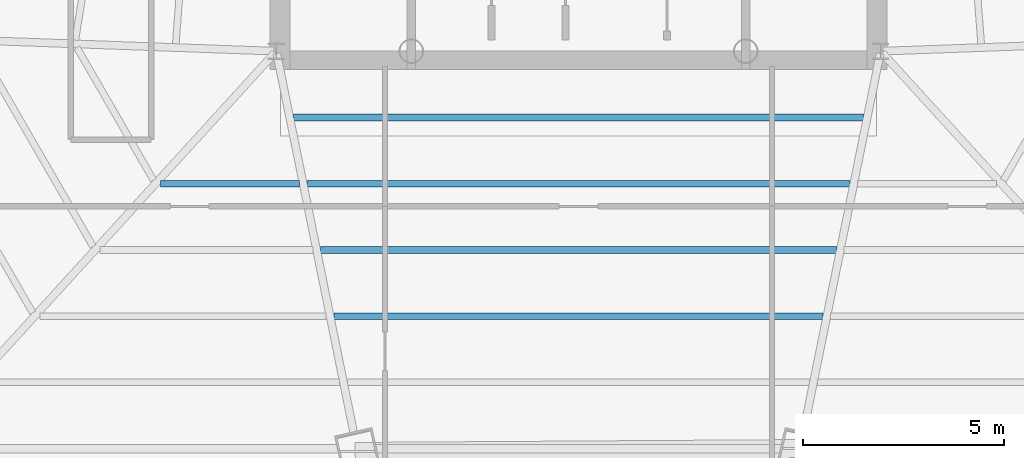
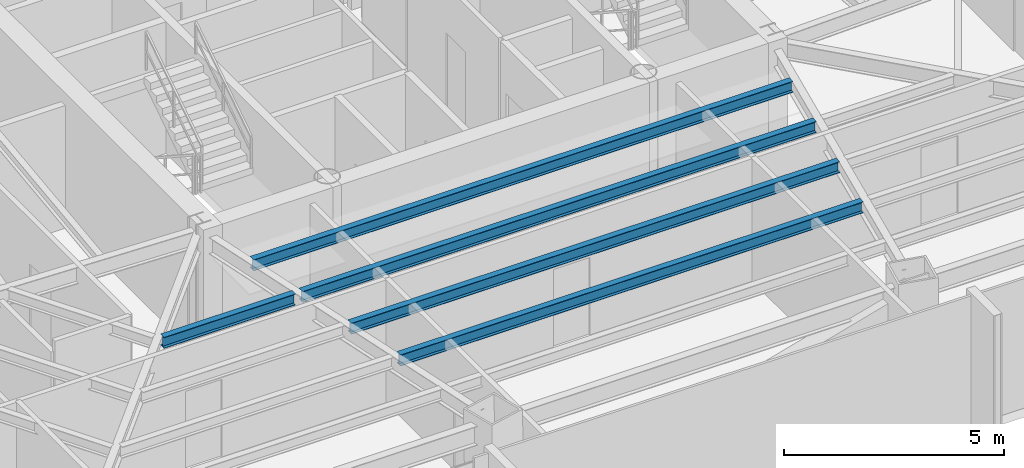
# One storey, part 11 of 41: 5 beams.
"""IFC4 building model written with IfcOpenShell, lengths in metres."""

import ifcopenshell
import ifcopenshell.guid

model = None  # the IFC model being written
_history = None  # IfcOwnerHistory: only IFC2X3 demands one
_inside = {}  # id of a spatial element -> (the spatial element, [elements in it])
_under = {}  # id of a project, library or spatial element -> (it, [spatial elements below it])
_declared = {}  # id of a project -> (the project, [libraries it declares])
_typed = {}  # id of a type object -> (the type object, [elements of that type])
_made_of = {}  # id of a material, layer set ... -> (it, [elements and type objects made of it])


def new_model(schema):
    """Start an empty IFC model of exactly this schema.

    Asked for "IFC4X3", IfcOpenShell would pick the latest addendum, in which some entities
    have other attributes; the version numbers below select the first issue.
    IFC2X3 requires an IfcOwnerHistory on every rooted entity: one is made here for all.
    """
    global model, _history
    if schema == "IFC4X3":
        model = ifcopenshell.file(schema_version=(4, 3, 0, 0))
    else:
        model = ifcopenshell.file(schema=schema)
    _inside.clear()
    _under.clear()
    _declared.clear()
    _typed.clear()
    _made_of.clear()
    _history = None
    if model.schema == "IFC2X3":
        org = make("IfcOrganization", Name="unknown")
        user = make(
            "IfcPersonAndOrganization",
            ThePerson=make("IfcPerson", FamilyName="unknown"),
            TheOrganization=org,
        )
        app = make(
            "IfcApplication",
            ApplicationDeveloper=org,
            Version="unknown",
            ApplicationFullName="unknown",
            ApplicationIdentifier="unknown",
        )
        _history = make(
            "IfcOwnerHistory",
            OwningUser=user,
            OwningApplication=app,
            ChangeAction="ADDED",
            CreationDate=0,
        )
    return model


def make(cls, **values):
    """One entity of the class cls with the attributes given. An attribute that is None is left unset."""
    return model.create_entity(
        cls, **{name: value for name, value in values.items() if value is not None}
    )


def rooted(cls, **values):
    """An entity with a GlobalId (a new one), such as an element, a storey or a relation."""
    return make(cls, GlobalId=ifcopenshell.guid.new(), OwnerHistory=_history, **values)


def si_unit(unit_type, name, prefix=None):
    """IfcSIUnit, for example si_unit("LENGTHUNIT", "METRE", prefix="MILLI")."""
    return make("IfcSIUnit", UnitType=unit_type, Prefix=prefix, Name=name)


def assignment(units):
    """IfcUnitAssignment: the units of a project."""
    return None if units is None else make("IfcUnitAssignment", Units=units)


def point(xyz):
    """IfcCartesianPoint."""
    return None if xyz is None else make("IfcCartesianPoint", Coordinates=xyz)


def direction(xyz):
    """IfcDirection."""
    return None if xyz is None else make("IfcDirection", DirectionRatios=xyz)


def frame(location, z_axis=None, x_axis=None):
    """IfcAxis2Placement3D, a coordinate frame: its origin and axes. An axis left out is left unset."""
    return make(
        "IfcAxis2Placement3D",
        Location=point(location),
        Axis=direction(z_axis),
        RefDirection=direction(x_axis),
    )


def frame_2d(location, x_axis=None):
    """IfcAxis2Placement2D, a coordinate frame in the plane: its origin and x axis."""
    return make(
        "IfcAxis2Placement2D", Location=point(location), RefDirection=direction(x_axis)
    )


def origin():
    """The frame at (0, 0, 0) with its axes left unset."""
    return frame((0.0, 0.0, 0.0))


def origin_2d():
    """The frame at (0, 0) in the plane with its x axis left unset."""
    return frame_2d((0.0, 0.0))


def place(relative_to, where):
    """IfcLocalPlacement: puts the frame where relative to a parent placement (None: the world)."""
    return make(
        "IfcLocalPlacement", PlacementRelTo=relative_to, RelativePlacement=where
    )


def context(
    kind, dimensions, precision=None, world=None, true_north=None, identifier=None
):
    """IfcGeometricRepresentationContext, for example the 3D "Model" context."""
    return make(
        "IfcGeometricRepresentationContext",
        ContextIdentifier=identifier,
        ContextType=kind,
        CoordinateSpaceDimension=dimensions,
        Precision=precision,
        WorldCoordinateSystem=world,
        TrueNorth=true_north,
    )


def subcontext(parent, identifier, kind, view, scale=None):
    """IfcGeometricRepresentationSubContext, for example "Body" below "Model"."""
    return make(
        "IfcGeometricRepresentationSubContext",
        ContextIdentifier=identifier,
        ContextType=kind,
        ParentContext=parent,
        TargetScale=scale,
        TargetView=view,
    )


def project(units=None, contexts=None):
    """IfcProject with its units and contexts."""
    return rooted(
        "IfcProject",
        Name="project",
        RepresentationContexts=contexts,
        UnitsInContext=assignment(units),
    )


def spatial(cls, under=None, at=None, **own):
    """A site, building, storey or space (cls), placed at a placement, below another one or the project."""
    s = rooted(cls, ObjectPlacement=at, **own)
    if under is not None:
        _under.setdefault(under.id(), (under, []))[1].append(s)
    return s


def profile(cls, at=None, kind="AREA", **sizes):
    """A parametric profile (cls). Its sizes go by their IFC names, for example OverallWidth=200.0."""
    return make(cls, ProfileType=kind, Position=at, **sizes)


def i_section(**sizes):
    """IfcIShapeProfileDef."""
    return profile("IfcIShapeProfileDef", **sizes)


def extrude(swept, where, along, depth):
    """IfcExtrudedAreaSolid: the profile swept, set in the frame where, extruded along a direction by depth."""
    return make(
        "IfcExtrudedAreaSolid",
        SweptArea=swept,
        Position=where,
        ExtrudedDirection=direction(along),
        Depth=depth,
    )


def shape(context_of_items, identifier, shape_type, items):
    """IfcShapeRepresentation: the items that make up one representation, for example the "Body"."""
    return make(
        "IfcShapeRepresentation",
        ContextOfItems=context_of_items,
        RepresentationIdentifier=identifier,
        RepresentationType=shape_type,
        Items=items,
    )


def source(mapping_origin, context_of_items, identifier, shape_type, items):
    """IfcRepresentationMap: a shape defined once, which mapped items show again and again."""
    return make(
        "IfcRepresentationMap",
        MappingOrigin=mapping_origin,
        MappedRepresentation=shape(context_of_items, identifier, shape_type, items),
    )


def transform(
    local_origin,
    x_axis=None,
    y_axis=None,
    z_axis=None,
    scale=None,
    scale2=None,
    scale3=None,
    uniform=True,
):
    """IfcCartesianTransformationOperator3D, or its non-uniform kind. x_axis, y_axis, z_axis: its Axis1, 2, 3."""
    if uniform:
        return make(
            "IfcCartesianTransformationOperator3D",
            Axis1=direction(x_axis),
            Axis2=direction(y_axis),
            LocalOrigin=point(local_origin),
            Scale=scale,
            Axis3=direction(z_axis),
        )
    return make(
        "IfcCartesianTransformationOperator3DnonUniform",
        Axis1=direction(x_axis),
        Axis2=direction(y_axis),
        LocalOrigin=point(local_origin),
        Scale=scale,
        Axis3=direction(z_axis),
        Scale2=scale2,
        Scale3=scale3,
    )


def mapped(mapping_source, mapping_target):
    """IfcMappedItem: shows the shape of a source again, moved by a transform."""
    return make(
        "IfcMappedItem", MappingSource=mapping_source, MappingTarget=mapping_target
    )


def material(Name=None, Category=None):
    """IfcMaterial."""
    return make("IfcMaterial", Name=Name, Category=Category)


def material_profile(
    of_material, cross_section, Name=None, Category=None, Priority=None
):
    """IfcMaterialProfile: a cross section and its material."""
    return make(
        "IfcMaterialProfile",
        Name=Name,
        Material=of_material,
        Profile=cross_section,
        Priority=Priority,
        Category=Category,
    )


def profile_set(profiles, Name=None, composite=None):
    """IfcMaterialProfileSet."""
    return make(
        "IfcMaterialProfileSet",
        Name=Name,
        MaterialProfiles=profiles,
        CompositeProfile=composite,
    )


def made_of(thing, what):
    """Note that an element or type object is made of a material, layer set ...; save() writes the relation."""
    if what is not None:
        _made_of.setdefault(what.id(), (what, []))[1].append(thing)
    return thing


def type_object(cls, material=None, **own):
    """A type object (cls), such as IfcWallType, which elements share."""
    return made_of(rooted(cls, **own), material)


def type_shapes(of_type, sources):
    """Give a type object the sources (RepresentationMaps) that its elements show as mapped items."""
    of_type.RepresentationMaps = sources


def element(
    cls,
    number,
    at=None,
    inside=None,
    cuts=None,
    type_object=None,
    material=None,
    context=None,
    identifier="Body",
    shape_type=None,
    held_by="IfcProductDefinitionShape",
    body=None,
    shapes=None,
    **own,
):
    """One element of the class cls, such as IfcWall. Its Tag is "e" and its number.

    at: its placement. inside: the storey or other place that contains it. cuts: it is an
    opening in that element (IfcRelVoidsElement). A single representation is given by context,
    identifier, shape_type and body (its items); several are given by shapes. held_by: the class
    of the entity that holds the representations. save() writes the other relations.
    """
    e = rooted(cls, Tag="e%d" % number, ObjectPlacement=at, **own)
    if body is not None:
        shapes = [shape(context, identifier, shape_type, body)]
    if shapes is not None:
        e.Representation = make(held_by, Representations=shapes)
    if inside is not None:
        _inside.setdefault(inside.id(), (inside, []))[1].append(e)
    if cuts is not None:
        rooted(
            "IfcRelVoidsElement", RelatingBuildingElement=cuts, RelatedOpeningElement=e
        )
    if type_object is not None:
        _typed.setdefault(type_object.id(), (type_object, []))[1].append(e)
    return made_of(e, material)


def aggregate(whole, parts):
    """IfcRelAggregates: a whole, such as a stair, and the parts it consists of."""
    return rooted("IfcRelAggregates", RelatingObject=whole, RelatedObjects=parts)


def save(model, path):
    """Write the relations noted so far, then the file.

    IfcRelAggregates (storeys below a building ...), IfcRelContainedInSpatialStructure (elements
    in a storey), IfcRelDefinesByType, IfcRelAssociatesMaterial and IfcRelDeclares: one each for
    every whole, place, type object, material and project.
    """
    for whole, parts in _under.values():
        aggregate(whole, parts)
    for where, things in _inside.values():
        rooted(
            "IfcRelContainedInSpatialStructure",
            RelatedElements=things,
            RelatingStructure=where,
        )
    for kind, things in _typed.values():
        rooted("IfcRelDefinesByType", RelatedObjects=things, RelatingType=kind)
    for what, things in _made_of.values():
        rooted("IfcRelAssociatesMaterial", RelatedObjects=things, RelatingMaterial=what)
    for by, libraries in _declared.values():
        rooted("IfcRelDeclares", RelatingContext=by, RelatedDefinitions=libraries)
    model.write(path)


model = new_model("IFC4")

# Units and contexts
model_context = context("Model", 3, precision=1e-05, world=origin(), true_north=direction((0.0, 1.0)))
body_context = subcontext(model_context, "Body", "Model", "MODEL_VIEW")
ifc_project = project(units=[si_unit("LENGTHUNIT", "METRE"), si_unit("AREAUNIT", "SQUARE_METRE"), si_unit("VOLUMEUNIT", "CUBIC_METRE"), si_unit("PLANEANGLEUNIT", "RADIAN"), si_unit("MASSUNIT", "GRAM", prefix="KILO")], contexts=[model_context])

# Site, building, storey
site_placement = place(None, origin())
site = spatial("IfcSite", under=ifc_project, at=site_placement, CompositionType="ELEMENT")
building_placement = place(site_placement, origin())
building = spatial("IfcBuilding", under=site, at=building_placement, Name="Caelisora Broadcast Tower", CompositionType="ELEMENT")
storey_placement = place(building_placement, frame((0.0, 0.0, 162.14990234375)))
storey = spatial("IfcBuildingStorey", under=building, at=storey_placement, Name="L42", CompositionType="ELEMENT", Elevation=162.14990234375)

# Beams
ifc_material = material(Name="Steel Grade 350 (AS/NZS 3679.1)", Category="steel")
ifc_material_profile = material_profile(ifc_material, i_section(OverallWidth=0.166015625, OverallDepth=0.30712890625, WebThickness=0.006591796875, FlangeThickness=0.01171875, at=origin_2d()), Name="Steel Grade 350 (AS/NZS 3679.1)")
ifc_profile_set = profile_set([ifc_material_profile], Name="Steel Grade 350 (AS/NZS 3679.1)")
beam_type = type_object("IfcBeamType", Name="SB03", PredefinedType="JOIST", material=ifc_profile_set)
shared_shape_1 = source(origin(), body_context, "Body", "SweptSolid", [
    extrude(i_section(OverallWidth=0.166015625, OverallDepth=0.30712890625, WebThickness=0.006591796875, FlangeThickness=0.01171875, at=origin_2d()), origin(), (0.0, 0.0, 1.0), 3.444580078125),
])
beam_1_placement = place(storey_placement, frame((27.62841796875, 14.112548828125, 3.24658203125), z_axis=(1.0, 0.0, 0.0), x_axis=(0.0, 1.0, 0.0)))
element("IfcBeam", 1, at=beam_1_placement, inside=storey, type_object=beam_type, Name="L42 beam SB03", PredefinedType="JOIST", context=body_context, shape_type="MappedRepresentation", body=[
    mapped(shared_shape_1, transform((0.0, 0.0, 0.0), scale=1.0)),
])
shared_shape_2 = source(origin(), body_context, "Body", "SweptSolid", [
    extrude(i_section(OverallWidth=0.166015625, OverallDepth=0.30712890625, WebThickness=0.006591796875, FlangeThickness=0.01171875, at=origin_2d()), origin(), (0.0, 0.0, 1.0), 14.14404296875),
])
beam_2_placement = place(storey_placement, frame((30.927978515625, 15.756103515625, 3.24658203125), z_axis=(1.0, 0.0, 0.0), x_axis=(0.0, 1.0, 0.0)))
element("IfcBeam", 2, at=beam_2_placement, inside=storey, type_object=beam_type, Name="L42 beam SB03", PredefinedType="JOIST", context=body_context, shape_type="MappedRepresentation", body=[
    mapped(shared_shape_2, transform((0.0, 0.0, 0.0), scale=1.0)),
])
shared_shape_3 = source(origin(), body_context, "Body", "SweptSolid", [
    extrude(i_section(OverallWidth=0.166015625, OverallDepth=0.30712890625, WebThickness=0.006591796875, FlangeThickness=0.01171875, at=origin_2d()), origin(), (0.0, 0.0, 1.0), 13.4765625),
])
beam_3_placement = place(storey_placement, frame((31.26171875, 14.112548828125, 3.24658203125), z_axis=(1.0, 0.0, 0.0), x_axis=(0.0, 1.0, 0.0)))
element("IfcBeam", 3, at=beam_3_placement, inside=storey, type_object=beam_type, Name="L42 beam SB03", PredefinedType="JOIST", context=body_context, shape_type="MappedRepresentation", body=[
    mapped(shared_shape_3, transform((0.0, 0.0, 0.0), scale=1.0)),
])
shared_shape_4 = source(origin(), body_context, "Body", "SweptSolid", [
    extrude(i_section(OverallWidth=0.166015625, OverallDepth=0.30712890625, WebThickness=0.006591796875, FlangeThickness=0.01171875, at=origin_2d()), origin(), (0.0, 0.0, 1.0), 12.80908203125),
])
beam_4_placement = place(storey_placement, frame((31.595458984375, 12.46875, 3.24658203125), z_axis=(1.0, 0.0, 0.0), x_axis=(0.0, 1.0, 0.0)))
element("IfcBeam", 4, at=beam_4_placement, inside=storey, type_object=beam_type, Name="L42 beam SB03", PredefinedType="JOIST", context=body_context, shape_type="MappedRepresentation", body=[
    mapped(shared_shape_4, transform((0.0, 0.0, 0.0), scale=1.0)),
])
shared_shape_5 = source(origin(), body_context, "Body", "SweptSolid", [
    extrude(i_section(OverallWidth=0.166015625, OverallDepth=0.30712890625, WebThickness=0.006591796875, FlangeThickness=0.01171875, at=origin_2d()), origin(), (0.0, 0.0, 1.0), 12.1416015625),
])
type_shapes(beam_type, [shared_shape_1, shared_shape_2, shared_shape_3, shared_shape_4, shared_shape_5])
beam_5_placement = place(storey_placement, frame((31.92919921875, 10.824951171875, 3.24658203125), z_axis=(1.0, 0.0, 0.0), x_axis=(0.0, 1.0, 0.0)))
element("IfcBeam", 5, at=beam_5_placement, inside=storey, type_object=beam_type, Name="L42 beam SB03", PredefinedType="JOIST", context=body_context, shape_type="MappedRepresentation", body=[
    mapped(shared_shape_5, transform((0.0, 0.0, 0.0), scale=1.0)),
])

save(model, "model.ifc")
